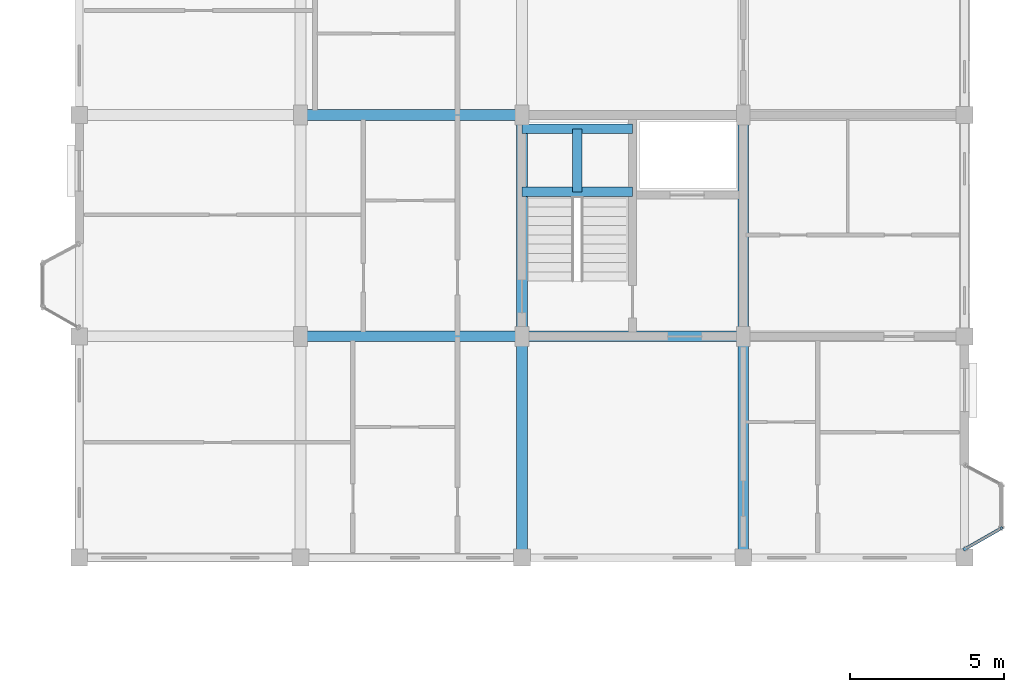
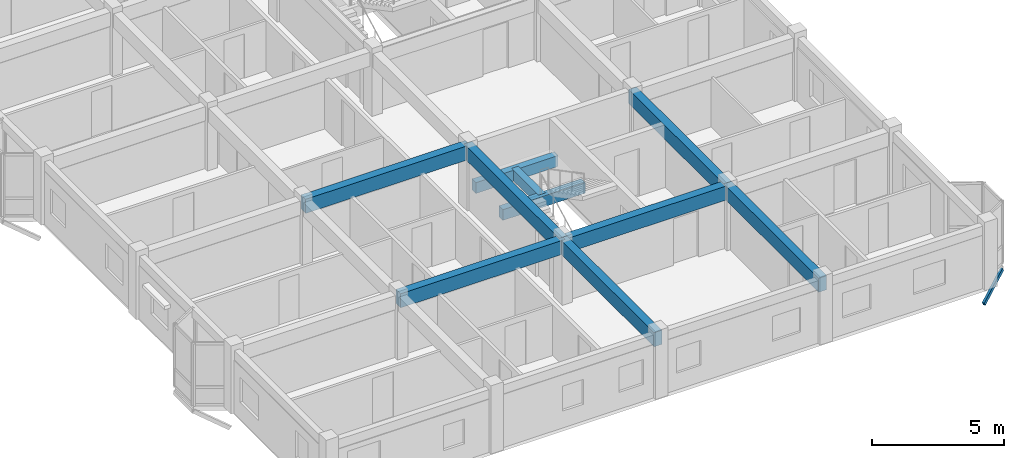
# One storey, part 24 of 77: 10 beams, 1 member.
"""IFC4 building model written with IfcOpenShell, lengths in metres."""

import ifcopenshell
import ifcopenshell.guid

model = None  # the IFC model being written
_history = None  # IfcOwnerHistory: only IFC2X3 demands one
_inside = {}  # id of a spatial element -> (the spatial element, [elements in it])
_under = {}  # id of a project, library or spatial element -> (it, [spatial elements below it])
_declared = {}  # id of a project -> (the project, [libraries it declares])
_typed = {}  # id of a type object -> (the type object, [elements of that type])
_made_of = {}  # id of a material, layer set ... -> (it, [elements and type objects made of it])


def new_model(schema):
    """Start an empty IFC model of exactly this schema.

    Asked for "IFC4X3", IfcOpenShell would pick the latest addendum, in which some entities
    have other attributes; the version numbers below select the first issue.
    IFC2X3 requires an IfcOwnerHistory on every rooted entity: one is made here for all.
    """
    global model, _history
    if schema == "IFC4X3":
        model = ifcopenshell.file(schema_version=(4, 3, 0, 0))
    else:
        model = ifcopenshell.file(schema=schema)
    _inside.clear()
    _under.clear()
    _declared.clear()
    _typed.clear()
    _made_of.clear()
    _history = None
    if model.schema == "IFC2X3":
        org = make("IfcOrganization", Name="unknown")
        user = make(
            "IfcPersonAndOrganization",
            ThePerson=make("IfcPerson", FamilyName="unknown"),
            TheOrganization=org,
        )
        app = make(
            "IfcApplication",
            ApplicationDeveloper=org,
            Version="unknown",
            ApplicationFullName="unknown",
            ApplicationIdentifier="unknown",
        )
        _history = make(
            "IfcOwnerHistory",
            OwningUser=user,
            OwningApplication=app,
            ChangeAction="ADDED",
            CreationDate=0,
        )
    return model


def make(cls, **values):
    """One entity of the class cls with the attributes given. An attribute that is None is left unset."""
    return model.create_entity(
        cls, **{name: value for name, value in values.items() if value is not None}
    )


def rooted(cls, **values):
    """An entity with a GlobalId (a new one), such as an element, a storey or a relation."""
    return make(cls, GlobalId=ifcopenshell.guid.new(), OwnerHistory=_history, **values)


def si_unit(unit_type, name, prefix=None):
    """IfcSIUnit, for example si_unit("LENGTHUNIT", "METRE", prefix="MILLI")."""
    return make("IfcSIUnit", UnitType=unit_type, Prefix=prefix, Name=name)


def assignment(units):
    """IfcUnitAssignment: the units of a project."""
    return None if units is None else make("IfcUnitAssignment", Units=units)


def point(xyz):
    """IfcCartesianPoint."""
    return None if xyz is None else make("IfcCartesianPoint", Coordinates=xyz)


def direction(xyz):
    """IfcDirection."""
    return None if xyz is None else make("IfcDirection", DirectionRatios=xyz)


def frame(location, z_axis=None, x_axis=None):
    """IfcAxis2Placement3D, a coordinate frame: its origin and axes. An axis left out is left unset."""
    return make(
        "IfcAxis2Placement3D",
        Location=point(location),
        Axis=direction(z_axis),
        RefDirection=direction(x_axis),
    )


def frame_2d(location, x_axis=None):
    """IfcAxis2Placement2D, a coordinate frame in the plane: its origin and x axis."""
    return make(
        "IfcAxis2Placement2D", Location=point(location), RefDirection=direction(x_axis)
    )


def origin():
    """The frame at (0, 0, 0) with its axes left unset."""
    return frame((0.0, 0.0, 0.0))


def origin_2d():
    """The frame at (0, 0) in the plane with its x axis left unset."""
    return frame_2d((0.0, 0.0))


def place(relative_to, where):
    """IfcLocalPlacement: puts the frame where relative to a parent placement (None: the world)."""
    return make(
        "IfcLocalPlacement", PlacementRelTo=relative_to, RelativePlacement=where
    )


def context(
    kind, dimensions, precision=None, world=None, true_north=None, identifier=None
):
    """IfcGeometricRepresentationContext, for example the 3D "Model" context."""
    return make(
        "IfcGeometricRepresentationContext",
        ContextIdentifier=identifier,
        ContextType=kind,
        CoordinateSpaceDimension=dimensions,
        Precision=precision,
        WorldCoordinateSystem=world,
        TrueNorth=true_north,
    )


def subcontext(parent, identifier, kind, view, scale=None):
    """IfcGeometricRepresentationSubContext, for example "Body" below "Model"."""
    return make(
        "IfcGeometricRepresentationSubContext",
        ContextIdentifier=identifier,
        ContextType=kind,
        ParentContext=parent,
        TargetScale=scale,
        TargetView=view,
    )


def project(units=None, contexts=None):
    """IfcProject with its units and contexts."""
    return rooted(
        "IfcProject",
        Name="project",
        RepresentationContexts=contexts,
        UnitsInContext=assignment(units),
    )


def spatial(cls, under=None, at=None, **own):
    """A site, building, storey or space (cls), placed at a placement, below another one or the project."""
    s = rooted(cls, ObjectPlacement=at, **own)
    if under is not None:
        _under.setdefault(under.id(), (under, []))[1].append(s)
    return s


def profile(cls, at=None, kind="AREA", **sizes):
    """A parametric profile (cls). Its sizes go by their IFC names, for example OverallWidth=200.0."""
    return make(cls, ProfileType=kind, Position=at, **sizes)


def rectangle(**sizes):
    """IfcRectangleProfileDef."""
    return profile("IfcRectangleProfileDef", **sizes)


def hollow_rectangle(**sizes):
    """IfcRectangleHollowProfileDef."""
    return profile("IfcRectangleHollowProfileDef", **sizes)


def extrude(swept, where, along, depth):
    """IfcExtrudedAreaSolid: the profile swept, set in the frame where, extruded along a direction by depth."""
    return make(
        "IfcExtrudedAreaSolid",
        SweptArea=swept,
        Position=where,
        ExtrudedDirection=direction(along),
        Depth=depth,
    )


def shape(context_of_items, identifier, shape_type, items):
    """IfcShapeRepresentation: the items that make up one representation, for example the "Body"."""
    return make(
        "IfcShapeRepresentation",
        ContextOfItems=context_of_items,
        RepresentationIdentifier=identifier,
        RepresentationType=shape_type,
        Items=items,
    )


def material(Name=None, Category=None):
    """IfcMaterial."""
    return make("IfcMaterial", Name=Name, Category=Category)


def material_profile(
    of_material, cross_section, Name=None, Category=None, Priority=None
):
    """IfcMaterialProfile: a cross section and its material."""
    return make(
        "IfcMaterialProfile",
        Name=Name,
        Material=of_material,
        Profile=cross_section,
        Priority=Priority,
        Category=Category,
    )


def profile_set(profiles, Name=None, composite=None):
    """IfcMaterialProfileSet."""
    return make(
        "IfcMaterialProfileSet",
        Name=Name,
        MaterialProfiles=profiles,
        CompositeProfile=composite,
    )


def made_of(thing, what):
    """Note that an element or type object is made of a material, layer set ...; save() writes the relation."""
    if what is not None:
        _made_of.setdefault(what.id(), (what, []))[1].append(thing)
    return thing


def type_object(cls, material=None, **own):
    """A type object (cls), such as IfcWallType, which elements share."""
    return made_of(rooted(cls, **own), material)


def element(
    cls,
    number,
    at=None,
    inside=None,
    cuts=None,
    type_object=None,
    material=None,
    context=None,
    identifier="Body",
    shape_type=None,
    held_by="IfcProductDefinitionShape",
    body=None,
    shapes=None,
    **own,
):
    """One element of the class cls, such as IfcWall. Its Tag is "e" and its number.

    at: its placement. inside: the storey or other place that contains it. cuts: it is an
    opening in that element (IfcRelVoidsElement). A single representation is given by context,
    identifier, shape_type and body (its items); several are given by shapes. held_by: the class
    of the entity that holds the representations. save() writes the other relations.
    """
    e = rooted(cls, Tag="e%d" % number, ObjectPlacement=at, **own)
    if body is not None:
        shapes = [shape(context, identifier, shape_type, body)]
    if shapes is not None:
        e.Representation = make(held_by, Representations=shapes)
    if inside is not None:
        _inside.setdefault(inside.id(), (inside, []))[1].append(e)
    if cuts is not None:
        rooted(
            "IfcRelVoidsElement", RelatingBuildingElement=cuts, RelatedOpeningElement=e
        )
    if type_object is not None:
        _typed.setdefault(type_object.id(), (type_object, []))[1].append(e)
    return made_of(e, material)


def aggregate(whole, parts):
    """IfcRelAggregates: a whole, such as a stair, and the parts it consists of."""
    return rooted("IfcRelAggregates", RelatingObject=whole, RelatedObjects=parts)


def save(model, path):
    """Write the relations noted so far, then the file.

    IfcRelAggregates (storeys below a building ...), IfcRelContainedInSpatialStructure (elements
    in a storey), IfcRelDefinesByType, IfcRelAssociatesMaterial and IfcRelDeclares: one each for
    every whole, place, type object, material and project.
    """
    for whole, parts in _under.values():
        aggregate(whole, parts)
    for where, things in _inside.values():
        rooted(
            "IfcRelContainedInSpatialStructure",
            RelatedElements=things,
            RelatingStructure=where,
        )
    for kind, things in _typed.values():
        rooted("IfcRelDefinesByType", RelatedObjects=things, RelatingType=kind)
    for what, things in _made_of.values():
        rooted("IfcRelAssociatesMaterial", RelatedObjects=things, RelatingMaterial=what)
    for by, libraries in _declared.values():
        rooted("IfcRelDeclares", RelatingContext=by, RelatedDefinitions=libraries)
    model.write(path)


model = new_model("IFC4")

# Units and contexts
model_context = context("Model", 3, precision=1e-05, world=origin(), true_north=direction((0.0, 1.0)))
body_context = subcontext(model_context, "Body", "Model", "MODEL_VIEW")
ifc_project = project(units=[si_unit("LENGTHUNIT", "METRE"), si_unit("AREAUNIT", "SQUARE_METRE"), si_unit("VOLUMEUNIT", "CUBIC_METRE"), si_unit("PLANEANGLEUNIT", "RADIAN"), si_unit("MASSUNIT", "GRAM", prefix="KILO"), si_unit("THERMODYNAMICTEMPERATUREUNIT", "KELVIN"), si_unit("POWERUNIT", "WATT")], contexts=[model_context])

# Site, building, storey
site_placement = place(None, origin())
site = spatial("IfcSite", under=ifc_project, at=site_placement, CompositionType="ELEMENT")
building_placement = place(site_placement, origin())
building = spatial("IfcBuilding", under=site, at=building_placement, Name="Tavuni Mirador Residences", CompositionType="ELEMENT")
storey_placement = place(building_placement, frame((0.0, 0.0, 10.800048828125)))
storey = spatial("IfcBuildingStorey", under=building, at=storey_placement, Name="L03", CompositionType="ELEMENT", Elevation=10.800048828125)

# Beams
ifc_material_1 = material(Name="Precast concrete C40/50", Category="concrete")
ifc_material_profile_1 = material_profile(ifc_material_1, rectangle(XDim=0.300048828125, YDim=0.5, at=origin_2d()), Name="PC 300x500", Category="concrete")
ifc_profile_set_1 = profile_set([ifc_material_profile_1], Name="Precast concrete C40/50")
beam_type_1 = type_object("IfcBeamType", Name="BT-B500", PredefinedType="BEAM", material=ifc_profile_set_1)
for number, where, z_axis, x_axis, name in (
    (1, (104.39990234375, 98.300048828125, 1.14501953125), (1.0, 0.0, 0.0), (0.0, 1.0, 0.0), "HLB1-C7-L03"),
    (2, (104.39990234375, 100.35009765625, 1.14501953125), (1.0, 0.0, 0.0), (0.0, 1.0, 0.0), "HLB2-C7-L03"),
):
    element("IfcBeam", number, at=place(storey_placement, frame(where, z_axis=z_axis, x_axis=x_axis)), inside=storey, type_object=beam_type_1, Name=name, PredefinedType="BEAM", context=body_context, shape_type="SweptSolid", body=[
        extrude(rectangle(XDim=0.300048828125, YDim=0.5, at=origin_2d()), origin(), (0.0, 0.0, 1.0), 3.60009765625),
    ])
beam_1_placement = place(storey_placement, frame((106.199951171875, 98.300048828125, 1.14501953125), z_axis=(0.0, 1.0, 0.0), x_axis=(-1.0, 0.0, 0.0)))
element("IfcBeam", 3, at=beam_1_placement, inside=storey, type_object=beam_type_1, Name="HLB3-C7-L03", PredefinedType="BEAM", context=body_context, shape_type="SweptSolid", body=[
    extrude(rectangle(XDim=0.300048828125, YDim=0.5, at=origin_2d()), origin(), (0.0, 0.0, 1.0), 2.050048828125),
])
ifc_material_profile_2 = material_profile(ifc_material_1, rectangle(XDim=0.35009765625, YDim=0.64990234375, at=origin_2d()), Name="PC 350x650", Category="concrete")
ifc_profile_set_2 = profile_set([ifc_material_profile_2], Name="Precast concrete C40/50")
beam_type_2 = type_object("IfcBeamType", Name="BT-B650", PredefinedType="BEAM", material=ifc_profile_set_2)
beam_2_placement = place(storey_placement, frame((97.199951171875, 93.60009765625, 2.56494140625), z_axis=(1.0, 0.0, 0.0), x_axis=(0.0, 1.0, 0.0)))
element("IfcBeam", 4, at=beam_2_placement, inside=storey, type_object=beam_type_2, Name="BMX-BLK-D-L03-01-01", PredefinedType="BEAM", context=body_context, shape_type="SweptSolid", body=[
    extrude(rectangle(XDim=0.35009765625, YDim=0.64990234375, at=origin_2d()), origin(), (0.0, 0.0, 1.0), 7.199951171875),
])
beam_3_placement = place(storey_placement, frame((104.39990234375, 93.60009765625, 2.56494140625), z_axis=(1.0, 0.0, 0.0), x_axis=(0.0, 1.0, 0.0)))
element("IfcBeam", 5, at=beam_3_placement, inside=storey, type_object=beam_type_2, Name="BMX-BLK-D-L03-02-01", PredefinedType="BEAM", context=body_context, shape_type="SweptSolid", body=[
    extrude(rectangle(XDim=0.35009765625, YDim=0.64990234375, at=origin_2d()), origin(), (0.0, 0.0, 1.0), 7.2001953125),
])
beam_4_placement = place(storey_placement, frame((97.199951171875, 100.800048828125, 2.56494140625), z_axis=(1.0, 0.0, 0.0), x_axis=(0.0, 1.0, 0.0)))
element("IfcBeam", 6, at=beam_4_placement, inside=storey, type_object=beam_type_2, Name="BMX-BLK-D-L03-01-02", PredefinedType="BEAM", context=body_context, shape_type="SweptSolid", body=[
    extrude(rectangle(XDim=0.35009765625, YDim=0.64990234375, at=origin_2d()), origin(), (0.0, 0.0, 1.0), 7.199951171875),
])
beam_5_placement = place(storey_placement, frame((104.39990234375, 86.39990234375, 2.56494140625), z_axis=(0.0, 1.0, 0.0), x_axis=(-1.0, 0.0, 0.0)))
element("IfcBeam", 7, at=beam_5_placement, inside=storey, type_object=beam_type_2, Name="BMY-BLK-D-L03-02-00", PredefinedType="BEAM", context=body_context, shape_type="SweptSolid", body=[
    extrude(rectangle(XDim=0.35009765625, YDim=0.64990234375, at=origin_2d()), origin(), (0.0, 0.0, 1.0), 7.2001953125),
])
beam_6_placement = place(storey_placement, frame((104.39990234375, 93.60009765625, 2.56494140625), z_axis=(0.0, 1.0, 0.0), x_axis=(-1.0, 0.0, 0.0)))
element("IfcBeam", 8, at=beam_6_placement, inside=storey, type_object=beam_type_2, Name="BMY-BLK-D-L03-02-01", PredefinedType="BEAM", context=body_context, shape_type="SweptSolid", body=[
    extrude(rectangle(XDim=0.35009765625, YDim=0.64990234375, at=origin_2d()), origin(), (0.0, 0.0, 1.0), 7.199951171875),
])
beam_7_placement = place(storey_placement, frame((111.60009765625, 86.39990234375, 2.56494140625), z_axis=(0.0, 1.0, 0.0), x_axis=(-1.0, 0.0, 0.0)))
element("IfcBeam", 9, at=beam_7_placement, inside=storey, type_object=beam_type_2, Name="BMY-BLK-D-L03-03-00", PredefinedType="BEAM", context=body_context, shape_type="SweptSolid", body=[
    extrude(rectangle(XDim=0.35009765625, YDim=0.64990234375, at=origin_2d()), origin(), (0.0, 0.0, 1.0), 7.2001953125),
])
beam_8_placement = place(storey_placement, frame((111.60009765625, 93.60009765625, 2.56494140625), z_axis=(0.0, 1.0, 0.0), x_axis=(-1.0, 0.0, 0.0)))
element("IfcBeam", 10, at=beam_8_placement, inside=storey, type_object=beam_type_2, Name="BMY-BLK-D-L03-03-01", PredefinedType="BEAM", context=body_context, shape_type="SweptSolid", body=[
    extrude(rectangle(XDim=0.35009765625, YDim=0.64990234375, at=origin_2d()), origin(), (0.0, 0.0, 1.0), 7.199951171875),
])

# Member
ifc_material_2 = material(Name="Structural steel S355", Category="steel")
ifc_material_profile_3 = material_profile(ifc_material_2, hollow_rectangle(XDim=0.10009765625, YDim=0.179931640625, WallThickness=0.008056640625, at=origin_2d()), Name="RHS 180x100x8.0", Category="steel")
ifc_profile_set_3 = profile_set([ifc_material_profile_3], Name="Structural steel S355")
member_type = type_object("IfcMemberType", Name="MT-BR-RHS180", PredefinedType="BRACE", material=ifc_profile_set_3)
member_placement = place(storey_placement, frame((118.800048828125, 86.675048828125, -1.050048828125), z_axis=(0.753903905175, 0.430407804256, 0.496364809185), x_axis=(-0.495796390047, 0.868438794398, 0.0)))
element("IfcMember", 11, at=member_placement, inside=storey, type_object=member_type, Name="MBRK-MIR-D-E1-L03-1", PredefinedType="BRACE", context=body_context, shape_type="SweptSolid", body=[
    extrude(hollow_rectangle(XDim=0.10009765625, YDim=0.179931640625, WallThickness=0.008056640625, at=origin_2d()), origin(), (0.0, 0.0, 1.0), 1.591552734375),
])

save(model, "model.ifc")
